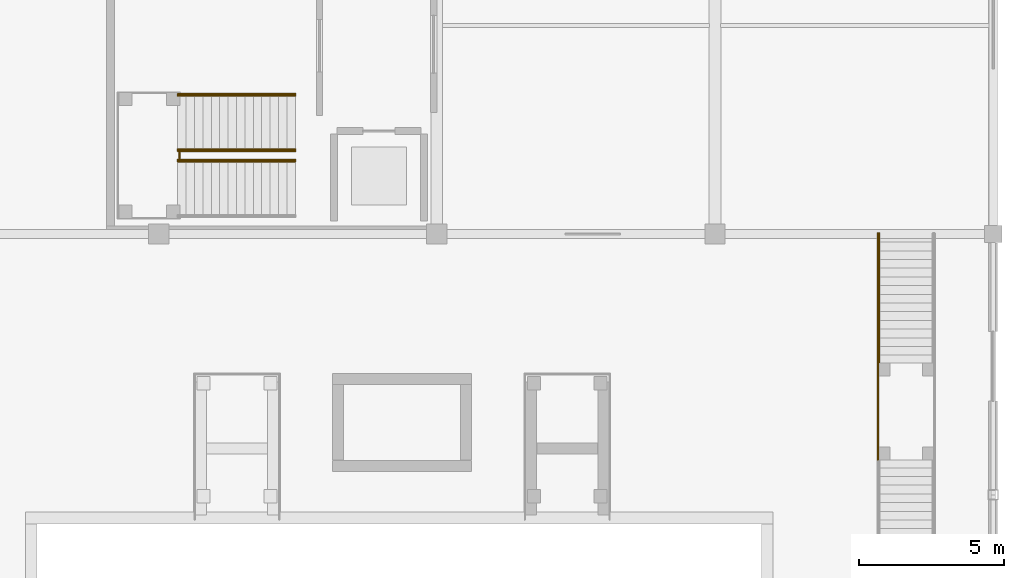
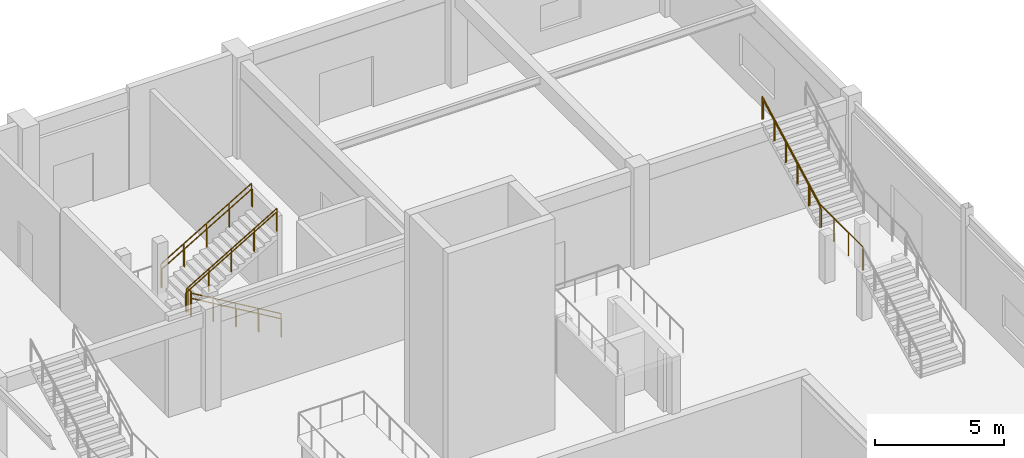
# One storey, part 79 of 82: 10 railings.
"""IFC4 building model written with IfcOpenShell, lengths in metres."""

from ifc_helpers import new_model, si_unit, direction, frame, origin, origin_2d, place, context, subcontext, project, spatial, circle, extrude, material, type_object, element, save


model = new_model("IFC4")

# Units and contexts
model_context = context("Model", 3, precision=1e-05, world=origin(), true_north=direction((0.0, 1.0)))
body_context = subcontext(model_context, "Body", "Model", "MODEL_VIEW")
ifc_project = project(units=[si_unit("LENGTHUNIT", "METRE"), si_unit("AREAUNIT", "SQUARE_METRE"), si_unit("VOLUMEUNIT", "CUBIC_METRE"), si_unit("PLANEANGLEUNIT", "RADIAN"), si_unit("MASSUNIT", "GRAM", prefix="KILO")], contexts=[model_context])

# Site, building, storey
site_placement = place(None, origin())
site = spatial("IfcSite", under=ifc_project, at=site_placement, CompositionType="ELEMENT")
building_placement = place(site_placement, origin())
building = spatial("IfcBuilding", under=site, at=building_placement, Name="Suirenkawa Promenade Aquatics Centre", CompositionType="ELEMENT")
storey_placement = place(building_placement, origin())
storey = spatial("IfcBuildingStorey", under=building, at=storey_placement, Name="L00", CompositionType="ELEMENT", Elevation=0.0)

# Railings
ifc_material = material(Name="Marine-grade stainless steel Grade 316L", Category="steel")
railing_type_1 = type_object("IfcRailingType", Name="RLT-GUARD-1120", PredefinedType="GUARDRAIL", material=ifc_material)
railing_1_placement = place(storey_placement, frame((170.31494140625, 88.9599609375, 0.0)))
element("IfcRailing", 1, at=railing_1_placement, inside=storey, type_object=railing_type_1, Name="Guardrail GRD-01 RL-0151", PredefinedType="GUARDRAIL", context=body_context, shape_type="SweptSolid", body=[
    extrude(circle(Radius=0.02392578125, at=origin_2d()), frame((0.0, 0.0, 1.09619140625), z_axis=(-0.8608543813, 0.0, 0.508851387142), x_axis=(0.0, -1.0, 0.0)), (0.0, 0.0, 1.0), 4.71630859375),
    extrude(circle(Radius=0.02099609375, at=origin_2d()), origin(), (0.0, 0.0, 1.0), 1.072021484375),
    extrude(circle(Radius=0.02099609375, at=origin_2d()), frame((-1.01513671875, 0.0, 0.60009765625)), (0.0, 0.0, 1.0), 1.072021484375),
    extrude(circle(Radius=0.02099609375, at=origin_2d()), frame((-2.030029296875, 0.0, 1.199951171875)), (0.0, 0.0, 1.0), 1.072021484375),
    extrude(circle(Radius=0.02099609375, at=origin_2d()), frame((-3.044921875, 0.0, 1.7998046875)), (0.0, 0.0, 1.0), 1.072021484375),
    extrude(circle(Radius=0.02099609375, at=origin_2d()), frame((-4.06005859375, 0.0, 2.39990234375)), (0.0, 0.0, 1.0), 1.072021484375),
])
for number, where, name in (
    (2, (166.2548828125, 89.27001953125, 2.39990234375), "Guardrail GRD-01 RL-0155"),
    (3, (166.2548828125, 91.22998046875, 2.39990234375), "Guardrail GRD-01 RL-0157"),
):
    element("IfcRailing", number, at=place(storey_placement, frame(where)), inside=storey, type_object=railing_type_1, Name=name, PredefinedType="GUARDRAIL", context=body_context, shape_type="SweptSolid", body=[
        extrude(circle(Radius=0.02392578125, at=origin_2d()), frame((0.0, 0.0, 1.09619140625), z_axis=(0.860831705478, 0.0, 0.508889747237), x_axis=(0.0, 1.0, 0.0)), (0.0, 0.0, 1.0), 4.716552734375),
        extrude(circle(Radius=0.02099609375, at=origin_2d()), origin(), (0.0, 0.0, 1.0), 1.072021484375),
        extrude(circle(Radius=0.02099609375, at=origin_2d()), frame((1.01513671875, 0.0, 0.60009765625)), (0.0, 0.0, 1.0), 1.072021484375),
        extrude(circle(Radius=0.02099609375, at=origin_2d()), frame((2.030029296875, 0.0, 1.2001953125)), (0.0, 0.0, 1.0), 1.072021484375),
        extrude(circle(Radius=0.02099609375, at=origin_2d()), frame((3.044921875, 0.0, 1.800048828125)), (0.0, 0.0, 1.0), 1.072021484375),
        extrude(circle(Radius=0.02099609375, at=origin_2d()), frame((4.06005859375, 0.0, 2.400146484375)), (0.0, 0.0, 1.0), 1.072021484375),
    ])
railing_2_placement = place(storey_placement, frame((166.320068359375, 88.989990234375, 2.39990234375)))
element("IfcRailing", 4, at=railing_2_placement, inside=storey, type_object=railing_type_1, Name="Guardrail GRD-01 RL-0160", PredefinedType="GUARDRAIL", context=body_context, shape_type="SweptSolid", body=[
    extrude(circle(Radius=0.02392578125, at=origin_2d()), frame((0.0, 0.0, 1.09619140625), z_axis=(0.0, 1.0, 0.0), x_axis=(-1.0, 0.0, 0.0)), (0.0, 0.0, 1.0), 0.25),
    extrude(circle(Radius=0.02099609375, at=origin_2d()), origin(), (0.0, 0.0, 1.0), 1.072021484375),
    extrude(circle(Radius=0.02099609375, at=origin_2d()), frame((0.0, 0.25, 0.0)), (0.0, 0.0, 1.0), 1.072021484375),
])
railing_3_placement = place(storey_placement, frame((190.419921875, 81.919921875, 2.39990234375)))
element("IfcRailing", 5, at=railing_3_placement, inside=storey, type_object=railing_type_1, Name="Guardrail GRD-01 RL-0345", PredefinedType="GUARDRAIL", context=body_context, shape_type="SweptSolid", body=[
    extrude(circle(Radius=0.02392578125, at=origin_2d()), frame((0.0, 0.0, 1.09619140625), z_axis=(0.0, 0.882341014787, 0.470610596591), x_axis=(-1.0, 0.0, 0.0)), (0.0, 0.0, 1.0), 5.10009765625),
    extrude(circle(Radius=0.02099609375, at=origin_2d()), origin(), (0.0, 0.0, 1.0), 1.072021484375),
    extrude(circle(Radius=0.02099609375, at=origin_2d()), frame((0.0, 0.89990234375, 0.47998046875)), (0.0, 0.0, 1.0), 1.072021484375),
    extrude(circle(Radius=0.02099609375, at=origin_2d()), frame((0.0, 1.800048828125, 0.9599609375)), (0.0, 0.0, 1.0), 1.072021484375),
    extrude(circle(Radius=0.02099609375, at=origin_2d()), frame((0.0, 2.699951171875, 1.440185546875)), (0.0, 0.0, 1.0), 1.072021484375),
    extrude(circle(Radius=0.02099609375, at=origin_2d()), frame((0.0, 3.60009765625, 1.920166015625)), (0.0, 0.0, 1.0), 1.072021484375),
    extrude(circle(Radius=0.02099609375, at=origin_2d()), frame((0.0, 4.5, 2.400146484375)), (0.0, 0.0, 1.0), 1.072021484375),
])
railing_4_placement = place(storey_placement, frame((190.419921875, 78.60498046875, 2.39990234375)))
element("IfcRailing", 6, at=railing_4_placement, inside=storey, type_object=railing_type_1, Name="Guardrail GRD-01 RL-0349", PredefinedType="GUARDRAIL", context=body_context, shape_type="SweptSolid", body=[
    extrude(circle(Radius=0.02392578125, at=origin_2d()), frame((0.0, 0.0, 1.09619140625), z_axis=(0.0, 1.0, 0.0), x_axis=(-1.0, 0.0, 0.0)), (0.0, 0.0, 1.0), 3.340087890625),
    extrude(circle(Radius=0.02099609375, at=origin_2d()), origin(), (0.0, 0.0, 1.0), 1.072021484375),
    extrude(circle(Radius=0.02099609375, at=origin_2d()), frame((0.0, 1.11328125, 0.0)), (0.0, 0.0, 1.0), 1.072021484375),
    extrude(circle(Radius=0.02099609375, at=origin_2d()), frame((0.0, 2.226806640625, 0.0)), (0.0, 0.0, 1.0), 1.072021484375),
    extrude(circle(Radius=0.02099609375, at=origin_2d()), frame((0.0, 3.340087890625, 0.0)), (0.0, 0.0, 1.0), 1.072021484375),
])
railing_type_2 = type_object("IfcRailingType", Name="RLT-HANDRAIL-900", PredefinedType="HANDRAIL", material=ifc_material)
railing_5_placement = place(storey_placement, frame((170.31494140625, 88.909912109375, 0.0)))
element("IfcRailing", 7, at=railing_5_placement, inside=storey, type_object=railing_type_2, Name="Handrail HRL-01 RL-0152", PredefinedType="HANDRAIL", context=body_context, shape_type="SweptSolid", body=[
    extrude(circle(Radius=0.02392578125, at=origin_2d()), frame((0.0, 0.0, 0.8759765625), z_axis=(-0.8608543813, 0.0, 0.508851387142), x_axis=(0.0, -1.0, 0.0)), (0.0, 0.0, 1.0), 4.71630859375),
    extrude(circle(Radius=0.02099609375, at=origin_2d()), origin(), (0.0, 0.0, 1.0), 0.851806640625),
    extrude(circle(Radius=0.02099609375, at=origin_2d()), frame((-1.01513671875, 0.0, 0.60009765625)), (0.0, 0.0, 1.0), 0.851806640625),
    extrude(circle(Radius=0.02099609375, at=origin_2d()), frame((-2.030029296875, 0.0, 1.199951171875)), (0.0, 0.0, 1.0), 0.851806640625),
    extrude(circle(Radius=0.02099609375, at=origin_2d()), frame((-3.044921875, 0.0, 1.7998046875)), (0.0, 0.0, 1.0), 0.851806640625),
    extrude(circle(Radius=0.02099609375, at=origin_2d()), frame((-4.06005859375, 0.0, 2.39990234375)), (0.0, 0.0, 1.0), 0.851806640625),
])
for number, where, name in (
    (8, (166.2548828125, 89.320068359375, 2.39990234375), "Handrail HRL-01 RL-0156"),
    (9, (166.2548828125, 91.179931640625, 2.39990234375), "Handrail HRL-01 RL-0158"),
):
    element("IfcRailing", number, at=place(storey_placement, frame(where)), inside=storey, type_object=railing_type_2, Name=name, PredefinedType="HANDRAIL", context=body_context, shape_type="SweptSolid", body=[
        extrude(circle(Radius=0.02392578125, at=origin_2d()), frame((0.0, 0.0, 0.8759765625), z_axis=(0.860831705478, 0.0, 0.508889747237), x_axis=(0.0, 1.0, 0.0)), (0.0, 0.0, 1.0), 4.716552734375),
        extrude(circle(Radius=0.02099609375, at=origin_2d()), origin(), (0.0, 0.0, 1.0), 0.851806640625),
        extrude(circle(Radius=0.02099609375, at=origin_2d()), frame((1.01513671875, 0.0, 0.60009765625)), (0.0, 0.0, 1.0), 0.851806640625),
        extrude(circle(Radius=0.02099609375, at=origin_2d()), frame((2.030029296875, 0.0, 1.2001953125)), (0.0, 0.0, 1.0), 0.851806640625),
        extrude(circle(Radius=0.02099609375, at=origin_2d()), frame((3.044921875, 0.0, 1.800048828125)), (0.0, 0.0, 1.0), 0.851806640625),
        extrude(circle(Radius=0.02099609375, at=origin_2d()), frame((4.06005859375, 0.0, 2.400146484375)), (0.0, 0.0, 1.0), 0.851806640625),
    ])
railing_6_placement = place(storey_placement, frame((190.469970703125, 81.919921875, 2.39990234375)))
element("IfcRailing", 10, at=railing_6_placement, inside=storey, type_object=railing_type_2, Name="Handrail HRL-01 RL-0346", PredefinedType="HANDRAIL", context=body_context, shape_type="SweptSolid", body=[
    extrude(circle(Radius=0.02392578125, at=origin_2d()), frame((0.0, 0.0, 0.8759765625), z_axis=(0.0, 0.882341014787, 0.470610596591), x_axis=(-1.0, 0.0, 0.0)), (0.0, 0.0, 1.0), 5.10009765625),
    extrude(circle(Radius=0.02099609375, at=origin_2d()), origin(), (0.0, 0.0, 1.0), 0.851806640625),
    extrude(circle(Radius=0.02099609375, at=origin_2d()), frame((0.0, 0.89990234375, 0.47998046875)), (0.0, 0.0, 1.0), 0.851806640625),
    extrude(circle(Radius=0.02099609375, at=origin_2d()), frame((0.0, 1.800048828125, 0.9599609375)), (0.0, 0.0, 1.0), 0.851806640625),
    extrude(circle(Radius=0.02099609375, at=origin_2d()), frame((0.0, 2.699951171875, 1.440185546875)), (0.0, 0.0, 1.0), 0.851806640625),
    extrude(circle(Radius=0.02099609375, at=origin_2d()), frame((0.0, 3.60009765625, 1.920166015625)), (0.0, 0.0, 1.0), 0.851806640625),
    extrude(circle(Radius=0.02099609375, at=origin_2d()), frame((0.0, 4.5, 2.400146484375)), (0.0, 0.0, 1.0), 0.851806640625),
])

save(model, "model.ifc")
